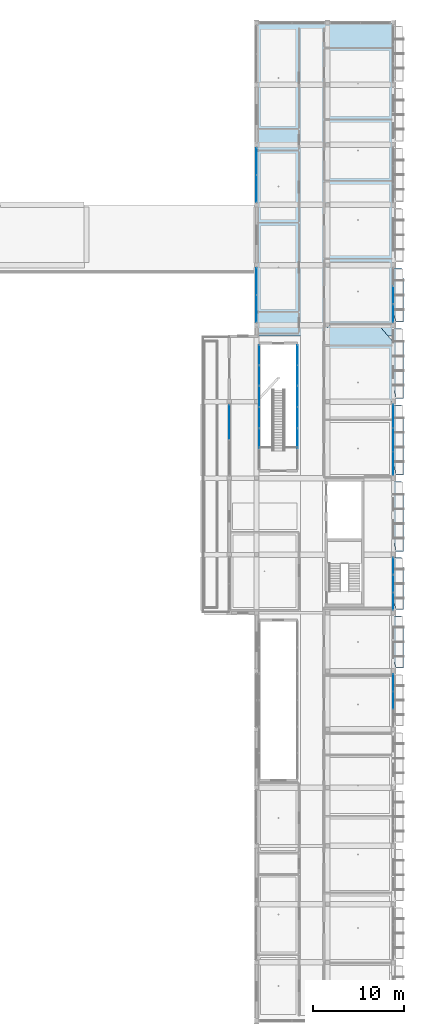
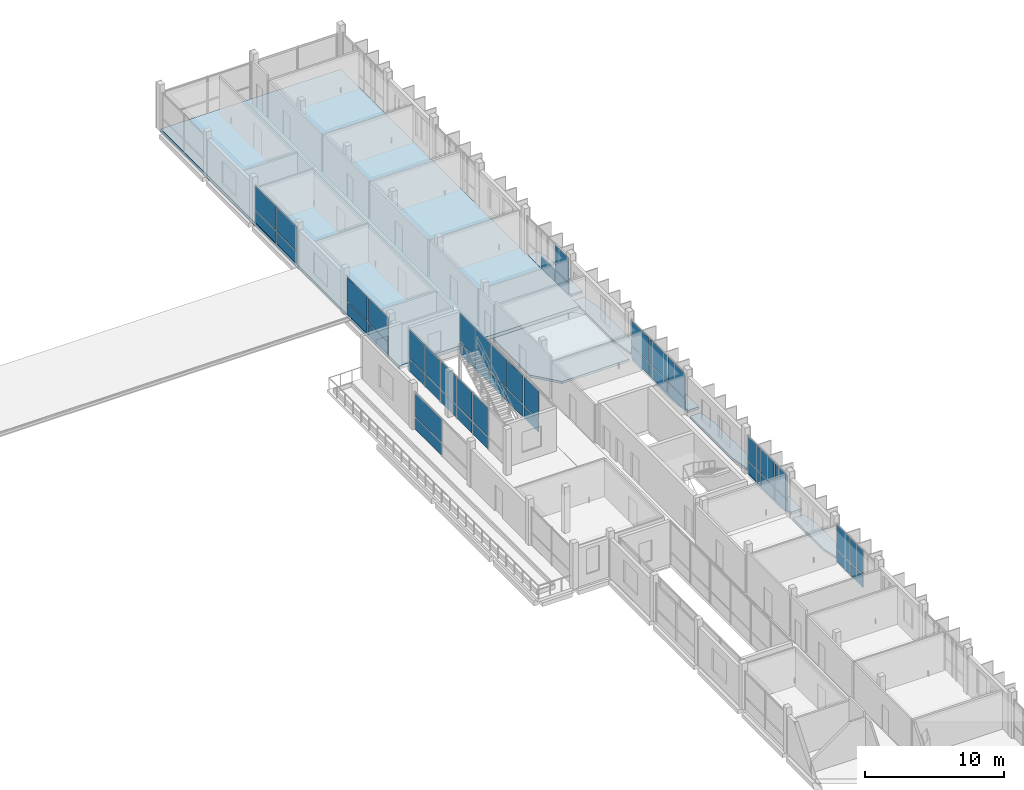
# One storey, part 44 of 86: 49 plates, 8 slabs, 13 elements without a shape of their own.
"""IFC4 building model written with IfcOpenShell, lengths in metres."""

import ifcopenshell
import ifcopenshell.guid

model = None  # the IFC model being written
_history = None  # IfcOwnerHistory: only IFC2X3 demands one
_inside = {}  # id of a spatial element -> (the spatial element, [elements in it])
_under = {}  # id of a project, library or spatial element -> (it, [spatial elements below it])
_declared = {}  # id of a project -> (the project, [libraries it declares])
_typed = {}  # id of a type object -> (the type object, [elements of that type])
_made_of = {}  # id of a material, layer set ... -> (it, [elements and type objects made of it])


def new_model(schema):
    """Start an empty IFC model of exactly this schema.

    Asked for "IFC4X3", IfcOpenShell would pick the latest addendum, in which some entities
    have other attributes; the version numbers below select the first issue.
    IFC2X3 requires an IfcOwnerHistory on every rooted entity: one is made here for all.
    """
    global model, _history
    if schema == "IFC4X3":
        model = ifcopenshell.file(schema_version=(4, 3, 0, 0))
    else:
        model = ifcopenshell.file(schema=schema)
    _inside.clear()
    _under.clear()
    _declared.clear()
    _typed.clear()
    _made_of.clear()
    _history = None
    if model.schema == "IFC2X3":
        org = make("IfcOrganization", Name="unknown")
        user = make(
            "IfcPersonAndOrganization",
            ThePerson=make("IfcPerson", FamilyName="unknown"),
            TheOrganization=org,
        )
        app = make(
            "IfcApplication",
            ApplicationDeveloper=org,
            Version="unknown",
            ApplicationFullName="unknown",
            ApplicationIdentifier="unknown",
        )
        _history = make(
            "IfcOwnerHistory",
            OwningUser=user,
            OwningApplication=app,
            ChangeAction="ADDED",
            CreationDate=0,
        )
    return model


def make(cls, **values):
    """One entity of the class cls with the attributes given. An attribute that is None is left unset."""
    return model.create_entity(
        cls, **{name: value for name, value in values.items() if value is not None}
    )


def rooted(cls, **values):
    """An entity with a GlobalId (a new one), such as an element, a storey or a relation."""
    return make(cls, GlobalId=ifcopenshell.guid.new(), OwnerHistory=_history, **values)


def si_unit(unit_type, name, prefix=None):
    """IfcSIUnit, for example si_unit("LENGTHUNIT", "METRE", prefix="MILLI")."""
    return make("IfcSIUnit", UnitType=unit_type, Prefix=prefix, Name=name)


def derived_unit(unit_type, elements):
    """IfcDerivedUnit: a product of units, each with its exponent."""
    return make(
        "IfcDerivedUnit",
        Elements=[
            make("IfcDerivedUnitElement", Unit=unit, Exponent=power)
            for unit, power in elements
        ],
        UnitType=unit_type,
    )


def assignment(units):
    """IfcUnitAssignment: the units of a project."""
    return None if units is None else make("IfcUnitAssignment", Units=units)


def point(xyz):
    """IfcCartesianPoint."""
    return None if xyz is None else make("IfcCartesianPoint", Coordinates=xyz)


def direction(xyz):
    """IfcDirection."""
    return None if xyz is None else make("IfcDirection", DirectionRatios=xyz)


def frame(location, z_axis=None, x_axis=None):
    """IfcAxis2Placement3D, a coordinate frame: its origin and axes. An axis left out is left unset."""
    return make(
        "IfcAxis2Placement3D",
        Location=point(location),
        Axis=direction(z_axis),
        RefDirection=direction(x_axis),
    )


def frame_2d(location, x_axis=None):
    """IfcAxis2Placement2D, a coordinate frame in the plane: its origin and x axis."""
    return make(
        "IfcAxis2Placement2D", Location=point(location), RefDirection=direction(x_axis)
    )


def origin():
    """The frame at (0, 0, 0) with its axes left unset."""
    return frame((0.0, 0.0, 0.0))


def origin_2d():
    """The frame at (0, 0) in the plane with its x axis left unset."""
    return frame_2d((0.0, 0.0))


def place(relative_to, where):
    """IfcLocalPlacement: puts the frame where relative to a parent placement (None: the world)."""
    return make(
        "IfcLocalPlacement", PlacementRelTo=relative_to, RelativePlacement=where
    )


def context(
    kind, dimensions, precision=None, world=None, true_north=None, identifier=None
):
    """IfcGeometricRepresentationContext, for example the 3D "Model" context."""
    return make(
        "IfcGeometricRepresentationContext",
        ContextIdentifier=identifier,
        ContextType=kind,
        CoordinateSpaceDimension=dimensions,
        Precision=precision,
        WorldCoordinateSystem=world,
        TrueNorth=true_north,
    )


def subcontext(parent, identifier, kind, view, scale=None):
    """IfcGeometricRepresentationSubContext, for example "Body" below "Model"."""
    return make(
        "IfcGeometricRepresentationSubContext",
        ContextIdentifier=identifier,
        ContextType=kind,
        ParentContext=parent,
        TargetScale=scale,
        TargetView=view,
    )


def project(units=None, contexts=None):
    """IfcProject with its units and contexts."""
    return rooted(
        "IfcProject",
        Name="project",
        RepresentationContexts=contexts,
        UnitsInContext=assignment(units),
    )


def spatial(cls, under=None, at=None, **own):
    """A site, building, storey or space (cls), placed at a placement, below another one or the project."""
    s = rooted(cls, ObjectPlacement=at, **own)
    if under is not None:
        _under.setdefault(under.id(), (under, []))[1].append(s)
    return s


def polyline(points):
    """IfcPolyline through the points."""
    return make("IfcPolyline", Points=[point(p) for p in points])


def profile(cls, at=None, kind="AREA", **sizes):
    """A parametric profile (cls). Its sizes go by their IFC names, for example OverallWidth=200.0."""
    return make(cls, ProfileType=kind, Position=at, **sizes)


def rectangle(**sizes):
    """IfcRectangleProfileDef."""
    return profile("IfcRectangleProfileDef", **sizes)


def outline(outer, holes=None, kind="AREA"):
    """IfcArbitraryClosedProfileDef: a profile drawn as a closed curve; with holes, ...WithVoids."""
    if holes is None:
        return make("IfcArbitraryClosedProfileDef", ProfileType=kind, OuterCurve=outer)
    return make(
        "IfcArbitraryProfileDefWithVoids",
        ProfileType=kind,
        OuterCurve=outer,
        InnerCurves=holes,
    )


def extrude(swept, where, along, depth):
    """IfcExtrudedAreaSolid: the profile swept, set in the frame where, extruded along a direction by depth."""
    return make(
        "IfcExtrudedAreaSolid",
        SweptArea=swept,
        Position=where,
        ExtrudedDirection=direction(along),
        Depth=depth,
    )


def shape(context_of_items, identifier, shape_type, items):
    """IfcShapeRepresentation: the items that make up one representation, for example the "Body"."""
    return make(
        "IfcShapeRepresentation",
        ContextOfItems=context_of_items,
        RepresentationIdentifier=identifier,
        RepresentationType=shape_type,
        Items=items,
    )


def material(Name=None, Category=None):
    """IfcMaterial."""
    return make("IfcMaterial", Name=Name, Category=Category)


def layer(
    of_material, thickness, ventilated=None, Name=None, Category=None, Priority=None
):
    """IfcMaterialLayer: one layer of a wall or slab, of a material (None: an air gap)."""
    return make(
        "IfcMaterialLayer",
        Material=of_material,
        LayerThickness=thickness,
        IsVentilated=ventilated,
        Name=Name,
        Category=Category,
        Priority=Priority,
    )


def layer_set(layers, Name=None):
    """IfcMaterialLayerSet."""
    return make("IfcMaterialLayerSet", MaterialLayers=layers, LayerSetName=Name)


def made_of(thing, what):
    """Note that an element or type object is made of a material, layer set ...; save() writes the relation."""
    if what is not None:
        _made_of.setdefault(what.id(), (what, []))[1].append(thing)
    return thing


def type_object(cls, material=None, **own):
    """A type object (cls), such as IfcWallType, which elements share."""
    return made_of(rooted(cls, **own), material)


def element(
    cls,
    number,
    at=None,
    inside=None,
    cuts=None,
    type_object=None,
    material=None,
    context=None,
    identifier="Body",
    shape_type=None,
    held_by="IfcProductDefinitionShape",
    body=None,
    shapes=None,
    **own,
):
    """One element of the class cls, such as IfcWall. Its Tag is "e" and its number.

    at: its placement. inside: the storey or other place that contains it. cuts: it is an
    opening in that element (IfcRelVoidsElement). A single representation is given by context,
    identifier, shape_type and body (its items); several are given by shapes. held_by: the class
    of the entity that holds the representations. save() writes the other relations.
    """
    e = rooted(cls, Tag="e%d" % number, ObjectPlacement=at, **own)
    if body is not None:
        shapes = [shape(context, identifier, shape_type, body)]
    if shapes is not None:
        e.Representation = make(held_by, Representations=shapes)
    if inside is not None:
        _inside.setdefault(inside.id(), (inside, []))[1].append(e)
    if cuts is not None:
        rooted(
            "IfcRelVoidsElement", RelatingBuildingElement=cuts, RelatedOpeningElement=e
        )
    if type_object is not None:
        _typed.setdefault(type_object.id(), (type_object, []))[1].append(e)
    return made_of(e, material)


def aggregate(whole, parts):
    """IfcRelAggregates: a whole, such as a stair, and the parts it consists of."""
    return rooted("IfcRelAggregates", RelatingObject=whole, RelatedObjects=parts)


def save(model, path):
    """Write the relations noted so far, then the file.

    IfcRelAggregates (storeys below a building ...), IfcRelContainedInSpatialStructure (elements
    in a storey), IfcRelDefinesByType, IfcRelAssociatesMaterial and IfcRelDeclares: one each for
    every whole, place, type object, material and project.
    """
    for whole, parts in _under.values():
        aggregate(whole, parts)
    for where, things in _inside.values():
        rooted(
            "IfcRelContainedInSpatialStructure",
            RelatedElements=things,
            RelatingStructure=where,
        )
    for kind, things in _typed.values():
        rooted("IfcRelDefinesByType", RelatedObjects=things, RelatingType=kind)
    for what, things in _made_of.values():
        rooted("IfcRelAssociatesMaterial", RelatedObjects=things, RelatingMaterial=what)
    for by, libraries in _declared.values():
        rooted("IfcRelDeclares", RelatingContext=by, RelatedDefinitions=libraries)
    model.write(path)


model = new_model("IFC4")

# Units and contexts
model_context = context("Model", 3, precision=1e-05, world=origin(), true_north=direction((0.0, 1.0)))
body_context = subcontext(model_context, "Body", "Model", "MODEL_VIEW")
ifc_project = project(units=[si_unit("LENGTHUNIT", "METRE"), si_unit("AREAUNIT", "SQUARE_METRE"), si_unit("VOLUMEUNIT", "CUBIC_METRE"), si_unit("PLANEANGLEUNIT", "RADIAN"), si_unit("MASSUNIT", "GRAM", prefix="KILO"), derived_unit("THERMALTRANSMITTANCEUNIT", [(si_unit("POWERUNIT", "WATT"), 1), (si_unit("LENGTHUNIT", "METRE"), -2), (si_unit("THERMODYNAMICTEMPERATUREUNIT", "KELVIN"), -1)])], contexts=[model_context])

# Site, building, storey
site_placement = place(None, origin())
site = spatial("IfcSite", under=ifc_project, at=site_placement, CompositionType="ELEMENT")
building_placement = place(site_placement, origin())
building = spatial("IfcBuilding", under=site, at=building_placement, Name="Braskholm Square Health Centre", CompositionType="ELEMENT")
storey_placement = place(building_placement, frame((0.0, 0.0, 13.5)))
storey = spatial("IfcBuildingStorey", under=building, at=storey_placement, Name="L04", CompositionType="ELEMENT", Elevation=13.5)

# Curtain wall, plates
ifc_material_1 = material(Name="Low-E triple insulating glass (VLT 0.64)", Category="glass")
curtain_wall_type_1 = type_object("IfcCurtainWallType", Name="UnitisedCurtainWall6200x3650", PredefinedType="NOTDEFINED", material=ifc_material_1)
curtain_wall_1_placement = place(storey_placement, origin())
curtain_wall_1 = element("IfcCurtainWall", 1, at=curtain_wall_1_placement, inside=storey, type_object=curtain_wall_type_1, Name="East Outer unitised curtain wall CW-L04-0070", PredefinedType="NOTDEFINED")
ifc_material_2 = material(Name="Architectural bronze anodised aluminium", Category="aluminium")
plate_type_1 = type_object("IfcPlateType", Name="CurtainPanelSpandrel1850x1020", PredefinedType="CURTAIN_PANEL", material=ifc_material_2)
plate_1_placement = place(storey_placement, frame((163.800048828125, 39.39990234375, 0.050048828125), z_axis=(0.0, 0.0, 1.0), x_axis=(0.0, 1.0, 0.0)))
plate_1 = element("IfcPlate", 2, at=plate_1_placement, type_object=plate_type_1, Name="CW-L04-0070 spandrel panel 2", PredefinedType="CURTAIN_PANEL", context=body_context, shape_type="SweptSolid", body=[
    extrude(rectangle(XDim=1.836181640625, YDim=0.035888671875, at=origin_2d()), origin(), (0.0, 0.0, 1.0), 1.02001953125),
])
plate_2_placement = place(storey_placement, frame((163.800048828125, 41.353271484375, 0.050048828125), z_axis=(0.0, 0.0, 1.0), x_axis=(0.0, 1.0, 0.0)))
plate_2 = element("IfcPlate", 3, at=plate_2_placement, type_object=plate_type_1, Name="CW-L04-0070 spandrel panel 3", PredefinedType="CURTAIN_PANEL", context=body_context, shape_type="SweptSolid", body=[
    extrude(rectangle(XDim=1.836181640625, YDim=0.035888671875, at=origin_2d()), origin(), (0.0, 0.0, 1.0), 1.02001953125),
])

curtain_wall_2_placement = place(storey_placement, origin())
curtain_wall_2 = element("IfcCurtainWall", 4, at=curtain_wall_2_placement, inside=storey, type_object=curtain_wall_type_1, Name="East Outer unitised curtain wall CW-L04-0071", PredefinedType="NOTDEFINED")
plate_3_placement = place(storey_placement, frame((163.800048828125, 50.24658203125, 0.050048828125), z_axis=(0.0, 0.0, 1.0), x_axis=(0.0, 1.0, 0.0)))
plate_3 = element("IfcPlate", 5, at=plate_3_placement, type_object=plate_type_1, Name="CW-L04-0071 spandrel panel 1", PredefinedType="CURTAIN_PANEL", context=body_context, shape_type="SweptSolid", body=[
    extrude(rectangle(XDim=1.836181640625, YDim=0.035888671875, at=origin_2d()), origin(), (0.0, 0.0, 1.0), 1.02001953125),
])
plate_4_placement = place(storey_placement, frame((163.800048828125, 52.199951171875, 0.050048828125), z_axis=(0.0, 0.0, 1.0), x_axis=(0.0, 1.0, 0.0)))
plate_4 = element("IfcPlate", 6, at=plate_4_placement, type_object=plate_type_1, Name="CW-L04-0071 spandrel panel 2", PredefinedType="CURTAIN_PANEL", context=body_context, shape_type="SweptSolid", body=[
    extrude(rectangle(XDim=1.836181640625, YDim=0.035888671875, at=origin_2d()), origin(), (0.0, 0.0, 1.0), 1.02001953125),
])
plate_5_placement = place(storey_placement, frame((163.800048828125, 54.1533203125, 0.050048828125), z_axis=(0.0, 0.0, 1.0), x_axis=(0.0, 1.0, 0.0)))
plate_5 = element("IfcPlate", 7, at=plate_5_placement, type_object=plate_type_1, Name="CW-L04-0071 spandrel panel 3", PredefinedType="CURTAIN_PANEL", context=body_context, shape_type="SweptSolid", body=[
    extrude(rectangle(XDim=1.836181640625, YDim=0.035888671875, at=origin_2d()), origin(), (0.0, 0.0, 1.0), 1.02001953125),
])

curtain_wall_3_placement = place(storey_placement, origin())
curtain_wall_3 = element("IfcCurtainWall", 8, at=curtain_wall_3_placement, inside=storey, type_object=curtain_wall_type_1, Name="East Outer unitised curtain wall CW-L04-0073", PredefinedType="NOTDEFINED")
plate_6_placement = place(storey_placement, frame((163.800048828125, 81.8798828125, 0.050048828125), z_axis=(0.0, 0.0, 1.0), x_axis=(0.0, 1.0, 0.0)))
plate_6 = element("IfcPlate", 9, at=plate_6_placement, type_object=plate_type_1, Name="CW-L04-0073 spandrel panel 1", PredefinedType="CURTAIN_PANEL", context=body_context, shape_type="SweptSolid", body=[
    extrude(rectangle(XDim=1.898681640625, YDim=0.035888671875, at=origin_2d()), origin(), (0.0, 0.0, 1.0), 1.02001953125),
])
plate_7_placement = place(storey_placement, frame((163.800048828125, 83.89990234375, 0.050048828125), z_axis=(0.0, 0.0, 1.0), x_axis=(0.0, 1.0, 0.0)))
plate_7 = element("IfcPlate", 10, at=plate_7_placement, type_object=plate_type_1, Name="CW-L04-0073 spandrel panel 2", PredefinedType="CURTAIN_PANEL", context=body_context, shape_type="SweptSolid", body=[
    extrude(rectangle(XDim=1.898681640625, YDim=0.035888671875, at=origin_2d()), origin(), (0.0, 0.0, 1.0), 1.02001953125),
])

# Curtain wall, plate
curtain_wall_type_2 = type_object("IfcCurtainWallType", Name="UnitisedCurtainWall4800x3800", PredefinedType="NOTDEFINED", material=ifc_material_1)
curtain_wall_4_placement = place(storey_placement, origin())
curtain_wall_4 = element("IfcCurtainWall", 11, at=curtain_wall_4_placement, inside=storey, type_object=curtain_wall_type_2, Name="EC2 Court W unitised curtain wall CW-L04-0369", PredefinedType="NOTDEFINED")
plate_type_2 = type_object("IfcPlateType", Name="CurtainPanelSpandrel2150x1020", PredefinedType="CURTAIN_PANEL", material=ifc_material_2)
plate_8_placement = place(storey_placement, frame((149.10009765625, 68.117919921875, 0.050048828125), z_axis=(0.0, 0.0, 1.0), x_axis=(0.0, 1.0, 0.0)))
plate_8 = element("IfcPlate", 12, at=plate_8_placement, type_object=plate_type_2, Name="CW-L04-0369 spandrel panel 2", PredefinedType="CURTAIN_PANEL", context=body_context, shape_type="SweptSolid", body=[
    extrude(rectangle(XDim=2.125244140625, YDim=0.035888671875, at=origin_2d()), origin(), (0.0, 0.0, 1.0), 1.02001953125),
])

curtain_wall_5_placement = place(storey_placement, origin())
curtain_wall_5 = element("IfcCurtainWall", 13, at=curtain_wall_5_placement, inside=storey, type_object=curtain_wall_type_2, Name="EC2 Court E unitised curtain wall CW-L04-0370", PredefinedType="NOTDEFINED")
plate_9_placement = place(storey_placement, frame((153.300048828125, 68.117919921875, 0.050048828125), z_axis=(0.0, 0.0, 1.0), x_axis=(0.0, -1.0, 0.0)))
plate_9 = element("IfcPlate", 14, at=plate_9_placement, type_object=plate_type_2, Name="CW-L04-0370 spandrel panel 1", PredefinedType="CURTAIN_PANEL", context=body_context, shape_type="SweptSolid", body=[
    extrude(rectangle(XDim=2.125244140625, YDim=0.035888671875, at=origin_2d()), origin(), (0.0, 0.0, 1.0), 1.02001953125),
])

# Curtain wall, plates
curtain_wall_6_placement = place(storey_placement, origin())
curtain_wall_6 = element("IfcCurtainWall", 15, at=curtain_wall_6_placement, inside=storey, type_object=curtain_wall_type_2, Name="EC2 Court W unitised curtain wall CW-L04-0371", PredefinedType="NOTDEFINED")
plate_10_placement = place(storey_placement, frame((149.10009765625, 70.449951171875, 0.050048828125), z_axis=(0.0, 0.0, 1.0), x_axis=(0.0, 1.0, 0.0)))
plate_10 = element("IfcPlate", 16, at=plate_10_placement, type_object=plate_type_2, Name="CW-L04-0371 spandrel panel 1", PredefinedType="CURTAIN_PANEL", context=body_context, shape_type="SweptSolid", body=[
    extrude(rectangle(XDim=2.188232421875, YDim=0.035888671875, at=origin_2d()), origin(), (0.0, 0.0, 1.0), 1.02001953125),
])
plate_11_placement = place(storey_placement, frame((149.10009765625, 72.75, 0.050048828125), z_axis=(0.0, 0.0, 1.0), x_axis=(0.0, 1.0, 0.0)))
plate_11 = element("IfcPlate", 17, at=plate_11_placement, type_object=plate_type_2, Name="CW-L04-0371 spandrel panel 2", PredefinedType="CURTAIN_PANEL", context=body_context, shape_type="SweptSolid", body=[
    extrude(rectangle(XDim=2.188232421875, YDim=0.035888671875, at=origin_2d()), origin(), (0.0, 0.0, 1.0), 1.02001953125),
])

curtain_wall_7_placement = place(storey_placement, origin())
curtain_wall_7 = element("IfcCurtainWall", 18, at=curtain_wall_7_placement, inside=storey, type_object=curtain_wall_type_2, Name="EC2 Court E unitised curtain wall CW-L04-0372", PredefinedType="NOTDEFINED")
plate_12_placement = place(storey_placement, frame((153.300048828125, 72.75, 0.050048828125), z_axis=(0.0, 0.0, 1.0), x_axis=(0.0, -1.0, 0.0)))
plate_12 = element("IfcPlate", 19, at=plate_12_placement, type_object=plate_type_2, Name="CW-L04-0372 spandrel panel 1", PredefinedType="CURTAIN_PANEL", context=body_context, shape_type="SweptSolid", body=[
    extrude(rectangle(XDim=2.188232421875, YDim=0.035888671875, at=origin_2d()), origin(), (0.0, 0.0, 1.0), 1.02001953125),
])
plate_13_placement = place(storey_placement, frame((153.300048828125, 70.449951171875, 0.050048828125), z_axis=(0.0, 0.0, 1.0), x_axis=(0.0, -1.0, 0.0)))
plate_13 = element("IfcPlate", 20, at=plate_13_placement, type_object=plate_type_2, Name="CW-L04-0372 spandrel panel 2", PredefinedType="CURTAIN_PANEL", context=body_context, shape_type="SweptSolid", body=[
    extrude(rectangle(XDim=2.188232421875, YDim=0.035888671875, at=origin_2d()), origin(), (0.0, 0.0, 1.0), 1.02001953125),
])

curtain_wall_8_placement = place(storey_placement, origin())
curtain_wall_8 = element("IfcCurtainWall", 21, at=curtain_wall_8_placement, inside=storey, type_object=curtain_wall_type_2, Name="EC2 Court W unitised curtain wall CW-L04-0373", PredefinedType="NOTDEFINED")
plate_14_placement = place(storey_placement, frame((149.10009765625, 75.08203125, 0.050048828125), z_axis=(0.0, 0.0, 1.0), x_axis=(0.0, 1.0, 0.0)))
plate_14 = element("IfcPlate", 22, at=plate_14_placement, type_object=plate_type_2, Name="CW-L04-0373 spandrel panel 1", PredefinedType="CURTAIN_PANEL", context=body_context, shape_type="SweptSolid", body=[
    extrude(rectangle(XDim=2.125244140625, YDim=0.035888671875, at=origin_2d()), origin(), (0.0, 0.0, 1.0), 1.02001953125),
])
plate_15_placement = place(storey_placement, frame((149.10009765625, 77.31591796875, 0.050048828125), z_axis=(0.0, 0.0, 1.0), x_axis=(0.0, 1.0, 0.0)))
plate_15 = element("IfcPlate", 23, at=plate_15_placement, type_object=plate_type_2, Name="CW-L04-0373 spandrel panel 2", PredefinedType="CURTAIN_PANEL", context=body_context, shape_type="SweptSolid", body=[
    extrude(rectangle(XDim=2.125244140625, YDim=0.035888671875, at=origin_2d()), origin(), (0.0, 0.0, 1.0), 1.02001953125),
])

curtain_wall_9_placement = place(storey_placement, origin())
curtain_wall_9 = element("IfcCurtainWall", 24, at=curtain_wall_9_placement, inside=storey, type_object=curtain_wall_type_2, Name="EC2 Court E unitised curtain wall CW-L04-0374", PredefinedType="NOTDEFINED")
plate_16_placement = place(storey_placement, frame((153.300048828125, 77.31591796875, 0.050048828125), z_axis=(0.0, 0.0, 1.0), x_axis=(0.0, -1.0, 0.0)))
plate_16 = element("IfcPlate", 25, at=plate_16_placement, type_object=plate_type_2, Name="CW-L04-0374 spandrel panel 1", PredefinedType="CURTAIN_PANEL", context=body_context, shape_type="SweptSolid", body=[
    extrude(rectangle(XDim=2.125244140625, YDim=0.035888671875, at=origin_2d()), origin(), (0.0, 0.0, 1.0), 1.02001953125),
])
plate_17_placement = place(storey_placement, frame((153.300048828125, 75.08203125, 0.050048828125), z_axis=(0.0, 0.0, 1.0), x_axis=(0.0, -1.0, 0.0)))
plate_17 = element("IfcPlate", 26, at=plate_17_placement, type_object=plate_type_2, Name="CW-L04-0374 spandrel panel 2", PredefinedType="CURTAIN_PANEL", context=body_context, shape_type="SweptSolid", body=[
    extrude(rectangle(XDim=2.125244140625, YDim=0.035888671875, at=origin_2d()), origin(), (0.0, 0.0, 1.0), 1.02001953125),
])

curtain_wall_10_placement = place(storey_placement, origin())
curtain_wall_10 = element("IfcCurtainWall", 27, at=curtain_wall_10_placement, inside=storey, type_object=curtain_wall_type_1, Name="East Outer unitised curtain wall CW-L04-0072", PredefinedType="NOTDEFINED")
plate_type_3 = type_object("IfcPlateType", Name="CurtainPanelSpandrel2750x1020", PredefinedType="CURTAIN_PANEL", material=ifc_material_2)
plate_18_placement = place(storey_placement, frame((163.800048828125, 65.3798828125, 0.050048828125), z_axis=(0.0, 0.0, 1.0), x_axis=(0.0, 1.0, 0.0)))
plate_18 = element("IfcPlate", 28, at=plate_18_placement, type_object=plate_type_3, Name="CW-L04-0072 spandrel panel 1", PredefinedType="CURTAIN_PANEL", context=body_context, shape_type="SweptSolid", body=[
    extrude(rectangle(XDim=2.462890625, YDim=0.035888671875, at=origin_2d()), origin(), (0.0, 0.0, 1.0), 1.02001953125),
])
plate_19_placement = place(storey_placement, frame((163.800048828125, 68.0, 0.050048828125), z_axis=(0.0, 0.0, 1.0), x_axis=(0.0, 1.0, 0.0)))
plate_19 = element("IfcPlate", 29, at=plate_19_placement, type_object=plate_type_3, Name="CW-L04-0072 spandrel panel 2", PredefinedType="CURTAIN_PANEL", context=body_context, shape_type="SweptSolid", body=[
    extrude(rectangle(XDim=2.462890625, YDim=0.035888671875, at=origin_2d()), origin(), (0.0, 0.0, 1.0), 1.02001953125),
])
plate_20_placement = place(storey_placement, frame((163.800048828125, 70.6201171875, 0.050048828125), z_axis=(0.0, 0.0, 1.0), x_axis=(0.0, 1.0, 0.0)))
plate_20 = element("IfcPlate", 30, at=plate_20_placement, type_object=plate_type_3, Name="CW-L04-0072 spandrel panel 3", PredefinedType="CURTAIN_PANEL", context=body_context, shape_type="SweptSolid", body=[
    extrude(rectangle(XDim=2.462890625, YDim=0.035888671875, at=origin_2d()), origin(), (0.0, 0.0, 1.0), 1.02001953125),
])

curtain_wall_11_placement = place(storey_placement, origin())
curtain_wall_11 = element("IfcCurtainWall", 31, at=curtain_wall_11_placement, inside=storey, type_object=curtain_wall_type_1, Name="East Valley unitised curtain wall CW-L04-0134", PredefinedType="NOTDEFINED")
plate_21_placement = place(storey_placement, frame((148.800048828125, 85.41162109375, 0.050048828125), z_axis=(0.0, 0.0, 1.0), x_axis=(0.0, -1.0, 0.0)))
plate_21 = element("IfcPlate", 32, at=plate_21_placement, type_object=plate_type_3, Name="CW-L04-0134 spandrel panel 1", PredefinedType="CURTAIN_PANEL", context=body_context, shape_type="SweptSolid", body=[
    extrude(rectangle(XDim=2.87646484375, YDim=0.035888671875, at=origin_2d()), origin(), (0.0, 0.0, 1.0), 1.02001953125),
])
plate_22_placement = place(storey_placement, frame((148.800048828125, 82.388427734375, 0.050048828125), z_axis=(0.0, 0.0, 1.0), x_axis=(0.0, -1.0, 0.0)))
plate_22 = element("IfcPlate", 33, at=plate_22_placement, type_object=plate_type_3, Name="CW-L04-0134 spandrel panel 2", PredefinedType="CURTAIN_PANEL", context=body_context, shape_type="SweptSolid", body=[
    extrude(rectangle(XDim=2.87646484375, YDim=0.035888671875, at=origin_2d()), origin(), (0.0, 0.0, 1.0), 1.02001953125),
])

curtain_wall_12_placement = place(storey_placement, origin())
curtain_wall_12 = element("IfcCurtainWall", 34, at=curtain_wall_12_placement, inside=storey, type_object=curtain_wall_type_1, Name="East Valley unitised curtain wall CW-L04-0135", PredefinedType="NOTDEFINED")
plate_23_placement = place(storey_placement, frame((148.800048828125, 98.611572265625, 0.050048828125), z_axis=(0.0, 0.0, 1.0), x_axis=(0.0, -1.0, 0.0)))
plate_23 = element("IfcPlate", 35, at=plate_23_placement, type_object=plate_type_3, Name="CW-L04-0135 spandrel panel 1", PredefinedType="CURTAIN_PANEL", context=body_context, shape_type="SweptSolid", body=[
    extrude(rectangle(XDim=2.87646484375, YDim=0.035888671875, at=origin_2d()), origin(), (0.0, 0.0, 1.0), 1.02001953125),
])
plate_24_placement = place(storey_placement, frame((148.800048828125, 95.58837890625, 0.050048828125), z_axis=(0.0, 0.0, 1.0), x_axis=(0.0, -1.0, 0.0)))
plate_24 = element("IfcPlate", 36, at=plate_24_placement, type_object=plate_type_3, Name="CW-L04-0135 spandrel panel 2", PredefinedType="CURTAIN_PANEL", context=body_context, shape_type="SweptSolid", body=[
    extrude(rectangle(XDim=2.87646484375, YDim=0.035888671875, at=origin_2d()), origin(), (0.0, 0.0, 1.0), 1.02001953125),
])

# Curtain wall, plate
curtain_wall_13_placement = place(storey_placement, origin())
curtain_wall_13 = element("IfcCurtainWall", 37, at=curtain_wall_13_placement, inside=storey, type_object=curtain_wall_type_1, Name="East Valley unitised curtain wall CW-L04-0133", PredefinedType="NOTDEFINED")
plate_type_4 = type_object("IfcPlateType", Name="CurtainPanelSpandrel3150x1020", PredefinedType="CURTAIN_PANEL", material=ifc_material_2)
plate_25_placement = place(storey_placement, frame((145.800048828125, 69.956298828125, 0.050048828125), z_axis=(0.0, 0.0, 1.0), x_axis=(0.0, -1.0, 0.0)))
plate_25 = element("IfcPlate", 38, at=plate_25_placement, type_object=plate_type_4, Name="CW-L04-0133 spandrel panel 1", PredefinedType="CURTAIN_PANEL", context=body_context, shape_type="SweptSolid", body=[
    extrude(rectangle(XDim=3.722412109375, YDim=0.035888671875, at=origin_2d()), origin(), (0.0, 0.0, 1.0), 1.02001953125),
])

# Plate
plate_type_5 = type_object("IfcPlateType", Name="CurtainPanelVision1850x2120", PredefinedType="CURTAIN_PANEL", material=ifc_material_1)
plate_26_placement = place(storey_placement, frame((163.800048828125, 39.39990234375, 1.169921875), z_axis=(0.0, 0.0, 1.0), x_axis=(0.0, 1.0, 0.0)))
plate_26 = element("IfcPlate", 39, at=plate_26_placement, type_object=plate_type_5, Name="CW-L04-0070 vision glass panel 2", PredefinedType="CURTAIN_PANEL", context=body_context, shape_type="SweptSolid", body=[
    extrude(rectangle(XDim=1.836181640625, YDim=0.035888671875, at=origin_2d()), origin(), (0.0, 0.0, 1.0), 2.139892578125),
])

plate_27_placement = place(storey_placement, frame((163.800048828125, 41.353271484375, 1.169921875), z_axis=(0.0, 0.0, 1.0), x_axis=(0.0, 1.0, 0.0)))
plate_27 = element("IfcPlate", 40, at=plate_27_placement, type_object=plate_type_5, Name="CW-L04-0070 vision glass panel 3", PredefinedType="CURTAIN_PANEL", context=body_context, shape_type="SweptSolid", body=[
    extrude(rectangle(XDim=1.836181640625, YDim=0.035888671875, at=origin_2d()), origin(), (0.0, 0.0, 1.0), 2.139892578125),
])

aggregate(curtain_wall_1, [plate_1, plate_26, plate_2, plate_27])

plate_28_placement = place(storey_placement, frame((163.800048828125, 50.24658203125, 1.169921875), z_axis=(0.0, 0.0, 1.0), x_axis=(0.0, 1.0, 0.0)))
plate_28 = element("IfcPlate", 41, at=plate_28_placement, type_object=plate_type_5, Name="CW-L04-0071 vision glass panel 1", PredefinedType="CURTAIN_PANEL", context=body_context, shape_type="SweptSolid", body=[
    extrude(rectangle(XDim=1.836181640625, YDim=0.035888671875, at=origin_2d()), origin(), (0.0, 0.0, 1.0), 2.139892578125),
])

plate_29_placement = place(storey_placement, frame((163.800048828125, 52.199951171875, 1.169921875), z_axis=(0.0, 0.0, 1.0), x_axis=(0.0, 1.0, 0.0)))
plate_29 = element("IfcPlate", 42, at=plate_29_placement, type_object=plate_type_5, Name="CW-L04-0071 vision glass panel 2", PredefinedType="CURTAIN_PANEL", context=body_context, shape_type="SweptSolid", body=[
    extrude(rectangle(XDim=1.836181640625, YDim=0.035888671875, at=origin_2d()), origin(), (0.0, 0.0, 1.0), 2.139892578125),
])

plate_30_placement = place(storey_placement, frame((163.800048828125, 54.1533203125, 1.169921875), z_axis=(0.0, 0.0, 1.0), x_axis=(0.0, 1.0, 0.0)))
plate_30 = element("IfcPlate", 43, at=plate_30_placement, type_object=plate_type_5, Name="CW-L04-0071 vision glass panel 3", PredefinedType="CURTAIN_PANEL", context=body_context, shape_type="SweptSolid", body=[
    extrude(rectangle(XDim=1.836181640625, YDim=0.035888671875, at=origin_2d()), origin(), (0.0, 0.0, 1.0), 2.139892578125),
])

aggregate(curtain_wall_2, [plate_3, plate_28, plate_4, plate_29, plate_5, plate_30])

plate_31_placement = place(storey_placement, frame((163.800048828125, 81.8798828125, 1.169921875), z_axis=(0.0, 0.0, 1.0), x_axis=(0.0, 1.0, 0.0)))
plate_31 = element("IfcPlate", 44, at=plate_31_placement, type_object=plate_type_5, Name="CW-L04-0073 vision glass panel 1", PredefinedType="CURTAIN_PANEL", context=body_context, shape_type="SweptSolid", body=[
    extrude(rectangle(XDim=1.898681640625, YDim=0.035888671875, at=origin_2d()), origin(), (0.0, 0.0, 1.0), 2.139892578125),
])

aggregate(curtain_wall_3, [plate_6, plate_31, plate_7])

plate_type_6 = type_object("IfcPlateType", Name="CurtainPanelVision2150x2520", PredefinedType="CURTAIN_PANEL", material=ifc_material_1)
plate_32_placement = place(storey_placement, frame((149.10009765625, 68.117919921875, 1.169921875), z_axis=(0.0, 0.0, 1.0), x_axis=(0.0, 1.0, 0.0)))
plate_32 = element("IfcPlate", 45, at=plate_32_placement, type_object=plate_type_6, Name="CW-L04-0369 vision glass panel 2", PredefinedType="CURTAIN_PANEL", context=body_context, shape_type="SweptSolid", body=[
    extrude(rectangle(XDim=2.125244140625, YDim=0.035888671875, at=origin_2d()), origin(), (0.0, 0.0, 1.0), 2.489990234375),
])

aggregate(curtain_wall_4, [plate_8, plate_32])

plate_33_placement = place(storey_placement, frame((153.300048828125, 68.117919921875, 1.169921875), z_axis=(0.0, 0.0, 1.0), x_axis=(0.0, -1.0, 0.0)))
plate_33 = element("IfcPlate", 46, at=plate_33_placement, type_object=plate_type_6, Name="CW-L04-0370 vision glass panel 1", PredefinedType="CURTAIN_PANEL", context=body_context, shape_type="SweptSolid", body=[
    extrude(rectangle(XDim=2.125244140625, YDim=0.035888671875, at=origin_2d()), origin(), (0.0, 0.0, 1.0), 2.489990234375),
])

aggregate(curtain_wall_5, [plate_9, plate_33])

plate_34_placement = place(storey_placement, frame((149.10009765625, 70.449951171875, 1.169921875), z_axis=(0.0, 0.0, 1.0), x_axis=(0.0, 1.0, 0.0)))
plate_34 = element("IfcPlate", 47, at=plate_34_placement, type_object=plate_type_6, Name="CW-L04-0371 vision glass panel 1", PredefinedType="CURTAIN_PANEL", context=body_context, shape_type="SweptSolid", body=[
    extrude(rectangle(XDim=2.188232421875, YDim=0.035888671875, at=origin_2d()), origin(), (0.0, 0.0, 1.0), 2.489990234375),
])

plate_35_placement = place(storey_placement, frame((149.10009765625, 72.75, 1.169921875), z_axis=(0.0, 0.0, 1.0), x_axis=(0.0, 1.0, 0.0)))
plate_35 = element("IfcPlate", 48, at=plate_35_placement, type_object=plate_type_6, Name="CW-L04-0371 vision glass panel 2", PredefinedType="CURTAIN_PANEL", context=body_context, shape_type="SweptSolid", body=[
    extrude(rectangle(XDim=2.188232421875, YDim=0.035888671875, at=origin_2d()), origin(), (0.0, 0.0, 1.0), 2.489990234375),
])

aggregate(curtain_wall_6, [plate_10, plate_34, plate_11, plate_35])

plate_36_placement = place(storey_placement, frame((153.300048828125, 72.75, 1.169921875), z_axis=(0.0, 0.0, 1.0), x_axis=(0.0, -1.0, 0.0)))
plate_36 = element("IfcPlate", 49, at=plate_36_placement, type_object=plate_type_6, Name="CW-L04-0372 vision glass panel 1", PredefinedType="CURTAIN_PANEL", context=body_context, shape_type="SweptSolid", body=[
    extrude(rectangle(XDim=2.188232421875, YDim=0.035888671875, at=origin_2d()), origin(), (0.0, 0.0, 1.0), 2.489990234375),
])

plate_37_placement = place(storey_placement, frame((153.300048828125, 70.449951171875, 1.169921875), z_axis=(0.0, 0.0, 1.0), x_axis=(0.0, -1.0, 0.0)))
plate_37 = element("IfcPlate", 50, at=plate_37_placement, type_object=plate_type_6, Name="CW-L04-0372 vision glass panel 2", PredefinedType="CURTAIN_PANEL", context=body_context, shape_type="SweptSolid", body=[
    extrude(rectangle(XDim=2.188232421875, YDim=0.035888671875, at=origin_2d()), origin(), (0.0, 0.0, 1.0), 2.489990234375),
])

aggregate(curtain_wall_7, [plate_12, plate_36, plate_13, plate_37])

plate_38_placement = place(storey_placement, frame((149.10009765625, 75.08203125, 1.169921875), z_axis=(0.0, 0.0, 1.0), x_axis=(0.0, 1.0, 0.0)))
plate_38 = element("IfcPlate", 51, at=plate_38_placement, type_object=plate_type_6, Name="CW-L04-0373 vision glass panel 1", PredefinedType="CURTAIN_PANEL", context=body_context, shape_type="SweptSolid", body=[
    extrude(rectangle(XDim=2.125244140625, YDim=0.035888671875, at=origin_2d()), origin(), (0.0, 0.0, 1.0), 2.489990234375),
])

plate_39_placement = place(storey_placement, frame((149.10009765625, 77.31591796875, 1.169921875), z_axis=(0.0, 0.0, 1.0), x_axis=(0.0, 1.0, 0.0)))
plate_39 = element("IfcPlate", 52, at=plate_39_placement, type_object=plate_type_6, Name="CW-L04-0373 vision glass panel 2", PredefinedType="CURTAIN_PANEL", context=body_context, shape_type="SweptSolid", body=[
    extrude(rectangle(XDim=2.125244140625, YDim=0.035888671875, at=origin_2d()), origin(), (0.0, 0.0, 1.0), 2.489990234375),
])

aggregate(curtain_wall_8, [plate_14, plate_38, plate_15, plate_39])

plate_40_placement = place(storey_placement, frame((153.300048828125, 77.31591796875, 1.169921875), z_axis=(0.0, 0.0, 1.0), x_axis=(0.0, -1.0, 0.0)))
plate_40 = element("IfcPlate", 53, at=plate_40_placement, type_object=plate_type_6, Name="CW-L04-0374 vision glass panel 1", PredefinedType="CURTAIN_PANEL", context=body_context, shape_type="SweptSolid", body=[
    extrude(rectangle(XDim=2.125244140625, YDim=0.035888671875, at=origin_2d()), origin(), (0.0, 0.0, 1.0), 2.489990234375),
])

plate_41_placement = place(storey_placement, frame((153.300048828125, 75.08203125, 1.169921875), z_axis=(0.0, 0.0, 1.0), x_axis=(0.0, -1.0, 0.0)))
plate_41 = element("IfcPlate", 54, at=plate_41_placement, type_object=plate_type_6, Name="CW-L04-0374 vision glass panel 2", PredefinedType="CURTAIN_PANEL", context=body_context, shape_type="SweptSolid", body=[
    extrude(rectangle(XDim=2.125244140625, YDim=0.035888671875, at=origin_2d()), origin(), (0.0, 0.0, 1.0), 2.489990234375),
])

aggregate(curtain_wall_9, [plate_16, plate_40, plate_17, plate_41])

plate_type_7 = type_object("IfcPlateType", Name="CurtainPanelVision2750x2120", PredefinedType="CURTAIN_PANEL", material=ifc_material_1)
plate_42_placement = place(storey_placement, frame((163.800048828125, 65.3798828125, 1.169921875), z_axis=(0.0, 0.0, 1.0), x_axis=(0.0, 1.0, 0.0)))
plate_42 = element("IfcPlate", 55, at=plate_42_placement, type_object=plate_type_7, Name="CW-L04-0072 vision glass panel 1", PredefinedType="CURTAIN_PANEL", context=body_context, shape_type="SweptSolid", body=[
    extrude(rectangle(XDim=2.462890625, YDim=0.035888671875, at=origin_2d()), origin(), (0.0, 0.0, 1.0), 2.139892578125),
])

plate_43_placement = place(storey_placement, frame((163.800048828125, 68.0, 1.169921875), z_axis=(0.0, 0.0, 1.0), x_axis=(0.0, 1.0, 0.0)))
plate_43 = element("IfcPlate", 56, at=plate_43_placement, type_object=plate_type_7, Name="CW-L04-0072 vision glass panel 2", PredefinedType="CURTAIN_PANEL", context=body_context, shape_type="SweptSolid", body=[
    extrude(rectangle(XDim=2.462890625, YDim=0.035888671875, at=origin_2d()), origin(), (0.0, 0.0, 1.0), 2.139892578125),
])

plate_44_placement = place(storey_placement, frame((163.800048828125, 70.6201171875, 1.169921875), z_axis=(0.0, 0.0, 1.0), x_axis=(0.0, 1.0, 0.0)))
plate_44 = element("IfcPlate", 57, at=plate_44_placement, type_object=plate_type_7, Name="CW-L04-0072 vision glass panel 3", PredefinedType="CURTAIN_PANEL", context=body_context, shape_type="SweptSolid", body=[
    extrude(rectangle(XDim=2.462890625, YDim=0.035888671875, at=origin_2d()), origin(), (0.0, 0.0, 1.0), 2.139892578125),
])

aggregate(curtain_wall_10, [plate_18, plate_42, plate_19, plate_43, plate_20, plate_44])

plate_45_placement = place(storey_placement, frame((148.800048828125, 85.41162109375, 1.169921875), z_axis=(0.0, 0.0, 1.0), x_axis=(0.0, -1.0, 0.0)))
plate_45 = element("IfcPlate", 58, at=plate_45_placement, type_object=plate_type_7, Name="CW-L04-0134 vision glass panel 1", PredefinedType="CURTAIN_PANEL", context=body_context, shape_type="SweptSolid", body=[
    extrude(rectangle(XDim=2.87646484375, YDim=0.035888671875, at=origin_2d()), origin(), (0.0, 0.0, 1.0), 2.110107421875),
])

plate_46_placement = place(storey_placement, frame((148.800048828125, 82.388427734375, 1.169921875), z_axis=(0.0, 0.0, 1.0), x_axis=(0.0, -1.0, 0.0)))
plate_46 = element("IfcPlate", 59, at=plate_46_placement, type_object=plate_type_7, Name="CW-L04-0134 vision glass panel 2", PredefinedType="CURTAIN_PANEL", context=body_context, shape_type="SweptSolid", body=[
    extrude(rectangle(XDim=2.87646484375, YDim=0.035888671875, at=origin_2d()), origin(), (0.0, 0.0, 1.0), 2.110107421875),
])

aggregate(curtain_wall_11, [plate_21, plate_45, plate_22, plate_46])

plate_47_placement = place(storey_placement, frame((148.800048828125, 98.611572265625, 1.169921875), z_axis=(0.0, 0.0, 1.0), x_axis=(0.0, -1.0, 0.0)))
plate_47 = element("IfcPlate", 60, at=plate_47_placement, type_object=plate_type_7, Name="CW-L04-0135 vision glass panel 1", PredefinedType="CURTAIN_PANEL", context=body_context, shape_type="SweptSolid", body=[
    extrude(rectangle(XDim=2.87646484375, YDim=0.035888671875, at=origin_2d()), origin(), (0.0, 0.0, 1.0), 2.110107421875),
])

plate_48_placement = place(storey_placement, frame((148.800048828125, 95.58837890625, 1.169921875), z_axis=(0.0, 0.0, 1.0), x_axis=(0.0, -1.0, 0.0)))
plate_48 = element("IfcPlate", 61, at=plate_48_placement, type_object=plate_type_7, Name="CW-L04-0135 vision glass panel 2", PredefinedType="CURTAIN_PANEL", context=body_context, shape_type="SweptSolid", body=[
    extrude(rectangle(XDim=2.87646484375, YDim=0.035888671875, at=origin_2d()), origin(), (0.0, 0.0, 1.0), 2.110107421875),
])

aggregate(curtain_wall_12, [plate_23, plate_47, plate_24, plate_48])

plate_type_8 = type_object("IfcPlateType", Name="CurtainPanelVision3150x2120", PredefinedType="CURTAIN_PANEL", material=ifc_material_1)
plate_49_placement = place(storey_placement, frame((145.800048828125, 69.956298828125, 1.169921875), z_axis=(0.0, 0.0, 1.0), x_axis=(0.0, -1.0, 0.0)))
plate_49 = element("IfcPlate", 62, at=plate_49_placement, type_object=plate_type_8, Name="CW-L04-0133 vision glass panel 1", PredefinedType="CURTAIN_PANEL", context=body_context, shape_type="SweptSolid", body=[
    extrude(rectangle(XDim=3.722412109375, YDim=0.035888671875, at=origin_2d()), origin(), (0.0, 0.0, 1.0), 2.06005859375),
])

aggregate(curtain_wall_13, [plate_25, plate_49])

# Slabs
ifc_material_3 = material(Name="Precast concrete C40/50 architectural white", Category="concrete")
ifc_layer_1 = layer(ifc_material_3, 0.2099609375)
ifc_layer_set_1 = layer_set([ifc_layer_1], Name="Precast concrete C40/50 architectural white")
slab_type_1 = type_object("IfcSlabType", Name="PitchedAndCrownRoofSlab150", PredefinedType="ROOF", material=ifc_layer_set_1)
slab_1_placement = place(storey_placement, frame((0.0, 0.0, -0.2099609375)))
element("IfcSlab", 63, at=slab_1_placement, inside=storey, type_object=slab_type_1, Name="Level L04 East precast planter ledge 103", PredefinedType="ROOF", context=body_context, shape_type="SweptSolid", body=[
    extrude(outline(polyline([(164.052978515625, 42.949951171875), (164.949951171875, 42.949951171875), (164.949951171875, 47.39599609375), (164.697021484375, 48.64990234375), (163.800048828125, 48.64990234375), (163.800048828125, 44.2041015625), (164.052978515625, 42.949951171875)])), origin(), (0.0, 0.0, 1.0), 0.2099609375),
])
slab_2_placement = place(storey_placement, frame((0.0, 0.0, -0.2099609375)))
element("IfcSlab", 64, at=slab_2_placement, inside=storey, type_object=slab_type_1, Name="Level L04 East precast planter ledge 104", PredefinedType="ROOF", context=body_context, shape_type="SweptSolid", body=[
    extrude(outline(polyline([(164.052978515625, 49.35009765625), (164.949951171875, 49.35009765625), (164.949951171875, 53.7958984375), (164.697021484375, 55.050048828125), (163.800048828125, 55.050048828125), (163.800048828125, 50.60400390625), (164.052978515625, 49.35009765625)])), origin(), (0.0, 0.0, 1.0), 0.2099609375),
])
slab_3_placement = place(storey_placement, frame((0.0, 0.0, -0.2099609375)))
element("IfcSlab", 65, at=slab_3_placement, inside=storey, type_object=slab_type_1, Name="Level L04 East precast planter ledge 105", PredefinedType="ROOF", context=body_context, shape_type="SweptSolid", body=[
    extrude(outline(polyline([(164.052978515625, 55.75), (164.949951171875, 55.75), (164.949951171875, 61.756103515625), (164.697021484375, 63.449951171875), (163.800048828125, 63.449951171875), (163.800048828125, 57.444091796875), (164.052978515625, 55.75)])), origin(), (0.0, 0.0, 1.0), 0.2099609375),
])
slab_4_placement = place(storey_placement, frame((0.0, 0.0, -0.2099609375)))
element("IfcSlab", 66, at=slab_4_placement, inside=storey, type_object=slab_type_1, Name="Level L04 East precast planter ledge 106", PredefinedType="ROOF", context=body_context, shape_type="SweptSolid", body=[
    extrude(outline(polyline([(164.052978515625, 64.14990234375), (164.949951171875, 64.14990234375), (164.949951171875, 70.156005859375), (164.697021484375, 71.85009765625), (163.800048828125, 71.85009765625), (163.800048828125, 65.843994140625), (164.052978515625, 64.14990234375)])), origin(), (0.0, 0.0, 1.0), 0.2099609375),
])
slab_5_placement = place(storey_placement, frame((0.0, 0.0, -0.2099609375)))
element("IfcSlab", 67, at=slab_5_placement, inside=storey, type_object=slab_type_1, Name="Level L04 East precast planter ledge 107", PredefinedType="ROOF", context=body_context, shape_type="SweptSolid", body=[
    extrude(outline(polyline([(164.052978515625, 72.550048828125), (164.949951171875, 72.550048828125), (164.949951171875, 78.555908203125), (164.697021484375, 80.25), (163.800048828125, 80.25), (163.800048828125, 74.243896484375), (164.052978515625, 72.550048828125)])), origin(), (0.0, 0.0, 1.0), 0.2099609375),
])
slab_6_placement = place(storey_placement, frame((0.0, 0.0, -0.2099609375)))
element("IfcSlab", 68, at=slab_6_placement, inside=storey, type_object=slab_type_1, Name="Level L04 East precast planter ledge 108", PredefinedType="ROOF", context=body_context, shape_type="SweptSolid", body=[
    extrude(outline(polyline([(164.052978515625, 80.949951171875), (164.949951171875, 80.949951171875), (164.949951171875, 85.552001953125), (164.697021484375, 86.85009765625), (163.800048828125, 86.85009765625), (163.800048828125, 82.248046875), (164.052978515625, 80.949951171875)])), origin(), (0.0, 0.0, 1.0), 0.2099609375),
])
ifc_material_4 = material(Name="Concrete C35/45 (f'c = 35 MPa)", Category="concrete")
ifc_layer_2 = layer(ifc_material_4, 0.199951171875)
ifc_layer_set_2 = layer_set([ifc_layer_2], Name="Concrete C35/45 (f'c = 35 MPa)")
slab_type_2 = type_object("IfcSlabType", Name="PunchingDropPanel200", PredefinedType="USERDEFINED", material=ifc_layer_set_2)
slab_7_placement = place(storey_placement, frame((0.0, 0.0, -0.5)))
element("IfcSlab", 69, at=slab_7_placement, inside=storey, type_object=slab_type_2, Name="Thickened vibration drop panel 016 L04", ObjectType="DROPPANEL", PredefinedType="USERDEFINED", context=body_context, shape_type="SweptSolid", body=[
    extrude(outline(polyline([(158.18408203125, 72.199951171875), (163.800048828125, 72.199951171875), (163.800048828125, 78.751953125), (162.216064453125, 80.60009765625), (156.60009765625, 80.60009765625), (156.60009765625, 74.048095703125), (158.18408203125, 72.199951171875)])), origin(), (0.0, 0.0, 1.0), 0.199951171875),
])
ifc_layer_3 = layer(ifc_material_4, 0.300048828125)
ifc_layer_set_3 = layer_set([ifc_layer_3], Name="Concrete C35/45 (f'c = 35 MPa)")
slab_type_3 = type_object("IfcSlabType", Name="TwoWayClinicalFlatSlab300", PredefinedType="FLOOR", material=ifc_layer_set_3)
slab_8_placement = place(storey_placement, frame((0.0, 0.0, -0.300048828125)))
element("IfcSlab", 70, at=slab_8_placement, inside=storey, type_object=slab_type_3, Name="Level L04 V4E Northeast consulting wing slab", PredefinedType="FLOOR", context=body_context, shape_type="SweptSolid", body=[
    extrude(outline(polyline([(148.800048828125, 79.39990234375), (163.800048828125, 79.39990234375), (163.800048828125, 113.800048828125), (148.800048828125, 113.800048828125), (148.800048828125, 79.39990234375)])), origin(), (0.0, 0.0, 1.0), 0.300048828125),
])

save(model, "model.ifc")
